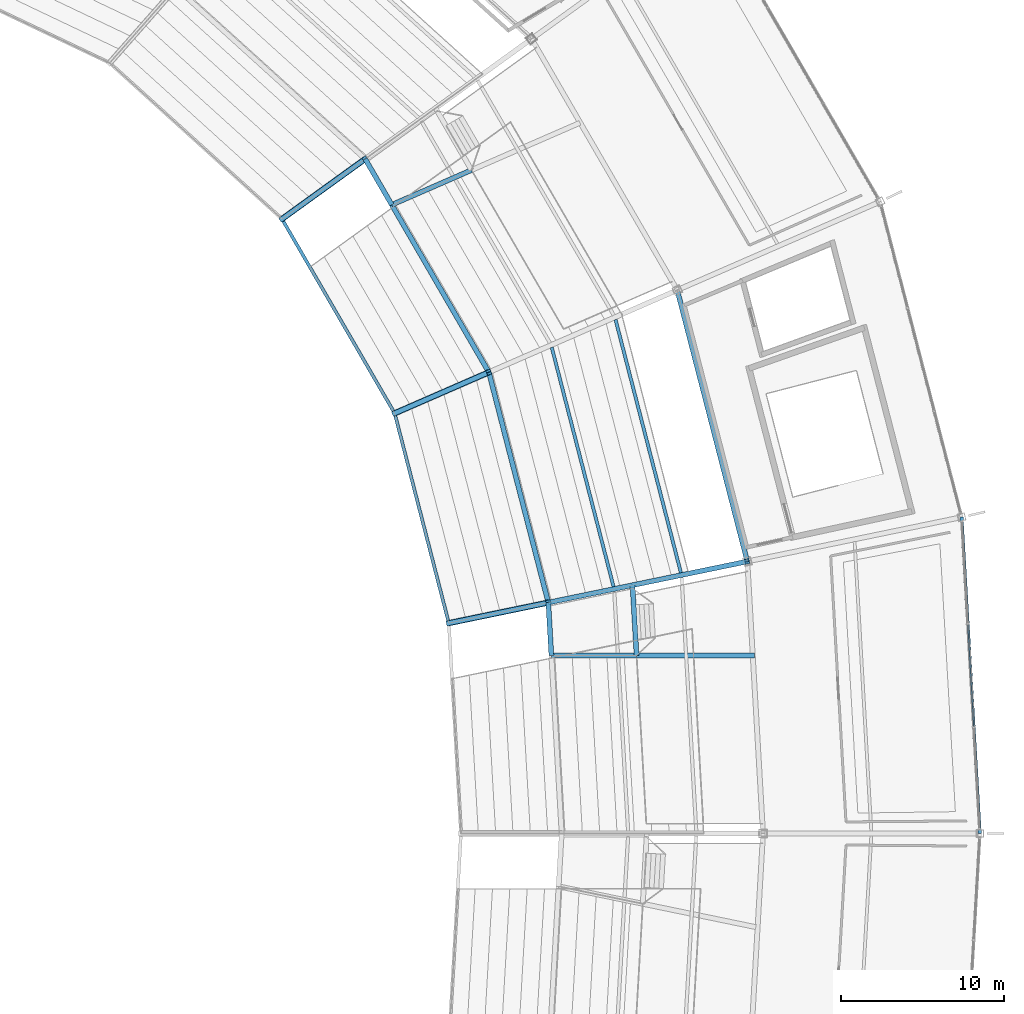
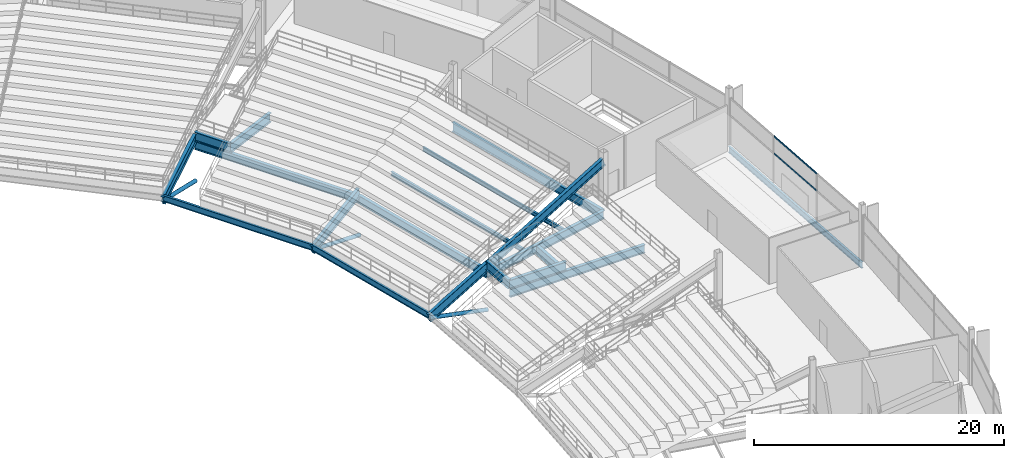
# One storey, part 76 of 186: 19 beams, 5 members, 1 element without a shape of its own.
"""IFC4 building model written with IfcOpenShell, lengths in metres."""

from ifc_helpers import new_model, si_unit, direction, frame, origin, origin_2d, place, context, subcontext, project, spatial, hollow_rectangle, hollow_circle, i_section, extrude, material, layer, layer_set, material_profile, profile_set, type_object, element, aggregate, save


model = new_model("IFC4")

# Units and contexts
model_context = context("Model", 3, precision=1e-05, world=origin(), true_north=direction((0.0, 1.0)))
body_context = subcontext(model_context, "Body", "Model", "MODEL_VIEW")
ifc_project = project(units=[si_unit("LENGTHUNIT", "METRE"), si_unit("AREAUNIT", "SQUARE_METRE"), si_unit("VOLUMEUNIT", "CUBIC_METRE"), si_unit("PLANEANGLEUNIT", "RADIAN"), si_unit("MASSUNIT", "GRAM", prefix="KILO")], contexts=[model_context])

# Site, building, storey
site_placement = place(None, origin())
site = spatial("IfcSite", under=ifc_project, at=site_placement, CompositionType="ELEMENT")
building_placement = place(site_placement, origin())
building = spatial("IfcBuilding", under=site, at=building_placement, Name="Kazemori Nagisa Stadium", CompositionType="ELEMENT")
storey_placement = place(building_placement, frame((0.0, 0.0, 20.39990234375)))
storey = spatial("IfcBuildingStorey", under=building, at=storey_placement, Name="L04", CompositionType="ELEMENT", Elevation=20.39990234375)

# Beams
ifc_material_1 = material(Name="Steel SN490B", Category="steel")
ifc_material_profile_1 = material_profile(ifc_material_1, i_section(OverallWidth=0.300048828125, OverallDepth=0.800048828125, WebThickness=0.013916015625, FlangeThickness=0.02587890625, FilletRadius=0.01806640625, at=origin_2d()), Name="H-800x300x14x26")
ifc_profile_set_1 = profile_set([ifc_material_profile_1], Name="Steel SN490B")
beam_type_1 = type_object("IfcBeamType", Name="Beam_BG-H800", PredefinedType="BEAM", material=ifc_profile_set_1)
beam_1_placement = place(storey_placement, frame((191.532958984375, 116.160400390625, -0.699951171875), z_axis=(-0.249966077383, 0.9682545947, 0.0), x_axis=(-0.9682545947, -0.249966077383, 0.0)))
element("IfcBeam", 1, at=beam_1_placement, inside=storey, type_object=beam_type_1, Name="Ring girder BG-H800 L04 R1-02", PredefinedType="BEAM", context=body_context, shape_type="SweptSolid", body=[
    extrude(i_section(OverallWidth=0.300048828125, OverallDepth=0.800048828125, WebThickness=0.013916015625, FlangeThickness=0.02587890625, FilletRadius=0.01806640625, at=origin_2d()), origin(), (0.0, 0.0, 1.0), 14.58984375),
])
beam_2_placement = place(storey_placement, frame((187.885986328125, 130.287109375, -0.699951171875), z_axis=(-0.501613453924, 0.865091869597, 0.0), x_axis=(-0.865091869597, -0.501613453924, 0.0)))
element("IfcBeam", 2, at=beam_2_placement, inside=storey, type_object=beam_type_1, Name="Ring girder BG-H800 L04 R1-03", PredefinedType="BEAM", context=body_context, shape_type="SweptSolid", body=[
    extrude(i_section(OverallWidth=0.300048828125, OverallDepth=0.800048828125, WebThickness=0.013916015625, FlangeThickness=0.02587890625, FilletRadius=0.01806640625, at=origin_2d()), origin(), (0.0, 0.0, 1.0), 15.1201171875),
])
beam_3_placement = place(storey_placement, frame((191.532958984375, 116.160400390625, -0.699951171875), z_axis=(0.979313861938, 0.202347127025, 0.0), x_axis=(-0.202347127025, 0.979313861938, 0.0)))
element("IfcBeam", 3, at=beam_3_placement, inside=storey, type_object=beam_type_1, Name="Radial girder BG-H800 L04 R1-R2-02", PredefinedType="BEAM", context=body_context, shape_type="SweptSolid", body=[
    extrude(i_section(OverallWidth=0.300048828125, OverallDepth=0.800048828125, WebThickness=0.013916015625, FlangeThickness=0.02587890625, FilletRadius=0.01806640625, at=origin_2d()), origin(), (0.0, 0.0, 1.0), 12.46240234375),
])
beam_4_placement = place(storey_placement, frame((191.72021484375, 112.915771484375, -0.699951171875), z_axis=(1.0, 0.0, 0.0), x_axis=(0.0, 1.0, 0.0)))
element("IfcBeam", 4, at=beam_4_placement, inside=storey, type_object=beam_type_1, Name="Upper vomitory radial carrier girder B01", PredefinedType="BEAM", context=body_context, shape_type="SweptSolid", body=[
    extrude(i_section(OverallWidth=0.300048828125, OverallDepth=0.800048828125, WebThickness=0.013916015625, FlangeThickness=0.02587890625, FilletRadius=0.01806640625, at=origin_2d()), origin(), (0.0, 0.0, 1.0), 12.462158203125),
])
ifc_material_profile_2 = material_profile(ifc_material_1, i_section(OverallWidth=0.300048828125, OverallDepth=0.89990234375, WebThickness=0.01611328125, FlangeThickness=0.028076171875, FilletRadius=0.01806640625, at=origin_2d()), Name="H-900x300x16x28")
ifc_profile_set_2 = profile_set([ifc_material_profile_2], Name="Steel SN490B")
beam_type_2 = type_object("IfcBeamType", Name="Beam_BG-H900", PredefinedType="BEAM", material=ifc_profile_set_2)
beam_5_placement = place(storey_placement, frame((203.737548828125, 118.68212890625, -0.75), z_axis=(-0.249974673676, 0.968252375427, 0.0), x_axis=(-0.968252375427, -0.249974673676, 0.0)))
element("IfcBeam", 5, at=beam_5_placement, inside=storey, type_object=beam_type_2, Name="Ring girder BG-H900 L04 R2-02", PredefinedType="BEAM", context=body_context, shape_type="SweptSolid", body=[
    extrude(i_section(OverallWidth=0.300048828125, OverallDepth=0.89990234375, WebThickness=0.01611328125, FlangeThickness=0.028076171875, FilletRadius=0.01806640625, at=origin_2d()), origin(), (0.0, 0.0, 1.0), 17.188232421875),
])
ifc_material_profile_3 = material_profile(ifc_material_1, i_section(OverallWidth=0.300048828125, OverallDepth=0.89990234375, WebThickness=0.01806640625, FlangeThickness=0.031982421875, FilletRadius=0.01806640625, at=origin_2d()), Name="H-900x300x18x32")
ifc_profile_set_3 = profile_set([ifc_material_profile_3], Name="Steel SN490B")
beam_type_3 = type_object("IfcBeamType", Name="Beam_BG-TR900", PredefinedType="BEAM", material=ifc_profile_set_3)
beam_6_placement = place(storey_placement, frame((191.72021484375, 112.915771484375, 0.150146484375), z_axis=(1.0, 0.0, 0.0), x_axis=(0.0, 1.0, 0.0)))
element("IfcBeam", 6, at=beam_6_placement, inside=storey, type_object=beam_type_3, Name="Upper vomitory left transfer girder B01", PredefinedType="BEAM", context=body_context, shape_type="SweptSolid", body=[
    extrude(i_section(OverallWidth=0.300048828125, OverallDepth=0.89990234375, WebThickness=0.01806640625, FlangeThickness=0.031982421875, FilletRadius=0.01806640625, at=origin_2d()), origin(), (0.0, 0.0, 1.0), 5.22509765625),
])
beam_7_placement = place(storey_placement, frame((196.9453125, 112.915771484375, -0.75), z_axis=(-0.057605203337, 0.998339441547, 0.0), x_axis=(-0.998339441547, -0.057605203337, 0.0)))
element("IfcBeam", 7, at=beam_7_placement, inside=storey, type_object=beam_type_3, Name="Upper vomitory portal header girder B01", PredefinedType="BEAM", context=body_context, shape_type="SweptSolid", body=[
    extrude(i_section(OverallWidth=0.300048828125, OverallDepth=0.89990234375, WebThickness=0.01806640625, FlangeThickness=0.031982421875, FilletRadius=0.01806640625, at=origin_2d()), origin(), (0.0, 0.0, 1.0), 4.318603515625),
])
beam_8_placement = place(storey_placement, frame((191.72021484375, 112.915771484375, 0.150146484375), z_axis=(-0.057616692486, 0.998338778545, 0.0), x_axis=(-0.998338778545, -0.057616692486, 0.0)))
element("IfcBeam", 8, at=beam_8_placement, inside=storey, type_object=beam_type_3, Name="Upper vomitory inner sill girder B01", PredefinedType="BEAM", context=body_context, shape_type="SweptSolid", body=[
    extrude(i_section(OverallWidth=0.300048828125, OverallDepth=0.89990234375, WebThickness=0.01806640625, FlangeThickness=0.031982421875, FilletRadius=0.01806640625, at=origin_2d()), origin(), (0.0, 0.0, 1.0), 3.25),
])
beam_9_placement = place(storey_placement, frame((181.931884765625, 140.555908203125, 0.150146484375), z_axis=(0.916686075072, 0.399608107736, 0.0), x_axis=(-0.399608107736, 0.916686075072, 0.0)))
element("IfcBeam", 9, at=beam_9_placement, inside=storey, type_object=beam_type_3, Name="Upper vomitory left transfer girder B03", PredefinedType="BEAM", context=body_context, shape_type="SweptSolid", body=[
    extrude(i_section(OverallWidth=0.300048828125, OverallDepth=0.89990234375, WebThickness=0.01806640625, FlangeThickness=0.031982421875, FilletRadius=0.01806640625, at=origin_2d()), origin(), (0.0, 0.0, 1.0), 5.3330078125),
])
beam_10_placement = place(storey_placement, frame((181.931884765625, 140.555908203125, 0.150146484375), z_axis=(-0.50164613907, 0.86507291667, 0.0), x_axis=(-0.86507291667, -0.50164613907, 0.0)))
element("IfcBeam", 10, at=beam_10_placement, inside=storey, type_object=beam_type_3, Name="Upper vomitory inner sill girder B03", PredefinedType="BEAM", context=body_context, shape_type="SweptSolid", body=[
    extrude(i_section(OverallWidth=0.300048828125, OverallDepth=0.89990234375, WebThickness=0.01806640625, FlangeThickness=0.031982421875, FilletRadius=0.01806640625, at=origin_2d()), origin(), (0.0, 0.0, 1.0), 3.25),
])
ifc_material_profile_4 = material_profile(ifc_material_1, i_section(OverallWidth=0.199951171875, OverallDepth=0.39990234375, WebThickness=0.008056640625, FlangeThickness=0.012939453125, FilletRadius=0.012939453125, at=origin_2d()), Name="H-400x200x8x13")
ifc_profile_set_4 = profile_set([ifc_material_profile_4], Name="Steel SN490B")
beam_type_4 = type_object("IfcBeamType", Name="Beam_BJ-H400", PredefinedType="JOIST", material=ifc_profile_set_4)
beam_11_placement = place(storey_placement, frame((195.53369140625, 117.134765625, -0.5), z_axis=(-0.249963255877, 0.9682553231, 0.0), x_axis=(-0.9682553231, -0.249963255877, 0.0)))
element("IfcBeam", 11, at=beam_11_placement, inside=storey, type_object=beam_type_4, Name="Concourse joist BJ-H400 L04 B02-1", PredefinedType="JOIST", context=body_context, shape_type="SweptSolid", body=[
    extrude(i_section(OverallWidth=0.199951171875, OverallDepth=0.39990234375, WebThickness=0.008056640625, FlangeThickness=0.012939453125, FilletRadius=0.012939453125, at=origin_2d()), origin(), (0.0, 0.0, 1.0), 15.159423828125),
])
beam_12_placement = place(storey_placement, frame((199.664306640625, 117.98828125, -0.5), z_axis=(-0.249956740753, 0.968257005011, 0.0), x_axis=(-0.968257005011, -0.249956740753, 0.0)))
element("IfcBeam", 12, at=beam_12_placement, inside=storey, type_object=beam_type_4, Name="Concourse joist BJ-H400 L04 B02-2", PredefinedType="JOIST", context=body_context, shape_type="SweptSolid", body=[
    extrude(i_section(OverallWidth=0.199951171875, OverallDepth=0.39990234375, WebThickness=0.008056640625, FlangeThickness=0.012939453125, FilletRadius=0.012939453125, at=origin_2d()), origin(), (0.0, 0.0, 1.0), 16.038818359375),
])
ifc_material_profile_5 = material_profile(ifc_material_1, i_section(OverallWidth=0.199951171875, OverallDepth=0.60009765625, WebThickness=0.010986328125, FlangeThickness=0.01708984375, FilletRadius=0.012939453125, at=origin_2d()), Name="H-600x200x11x17")
ifc_profile_set_5 = profile_set([ifc_material_profile_5], Name="Steel SN490B")
beam_type_5 = type_object("IfcBeamType", Name="Beam_BS-H600", PredefinedType="SPANDREL", material=ifc_profile_set_5)
beam_13_placement = place(storey_placement, frame((218.0, 102.0, -0.599853515625), z_axis=(-0.057598702622, 0.998339816624, 0.0), x_axis=(-0.998339816624, -0.057598702622, 0.0)))
element("IfcBeam", 13, at=beam_13_placement, inside=storey, type_object=beam_type_5, Name="Ring girder BS-H600 L04 R3-01", PredefinedType="SPANDREL", context=body_context, shape_type="SweptSolid", body=[
    extrude(i_section(OverallWidth=0.199951171875, OverallDepth=0.60009765625, WebThickness=0.010986328125, FlangeThickness=0.01708984375, FilletRadius=0.012939453125, at=origin_2d()), origin(), (0.0, 0.0, 1.0), 19.429931640625),
])
beam_14_placement = place(storey_placement, frame((185.4306640625, 114.8994140625, -1.885009765625), z_axis=(-0.249962460732, 0.968255528373, 0.0), x_axis=(-0.968255528373, -0.249962460732, 0.0)))
element("IfcBeam", 14, at=beam_14_placement, inside=storey, type_object=beam_type_5, Name="Upper tier front ring beam 02", PredefinedType="SPANDREL", context=body_context, shape_type="SweptSolid", body=[
    extrude(i_section(OverallWidth=0.199951171875, OverallDepth=0.60009765625, WebThickness=0.010986328125, FlangeThickness=0.01708984375, FilletRadius=0.012939453125, at=origin_2d()), origin(), (0.0, 0.0, 1.0), 13.291015625),
])
beam_15_placement = place(storey_placement, frame((182.1083984375, 127.7685546875, -1.885009765625), z_axis=(-0.501605611908, 0.865096416651, 0.0), x_axis=(-0.865096416651, -0.501605611908, 0.0)))
element("IfcBeam", 15, at=beam_15_placement, inside=storey, type_object=beam_type_5, Name="Upper tier front ring beam 03", PredefinedType="SPANDREL", context=body_context, shape_type="SweptSolid", body=[
    extrude(i_section(OverallWidth=0.199951171875, OverallDepth=0.60009765625, WebThickness=0.010986328125, FlangeThickness=0.01708984375, FilletRadius=0.012939453125, at=origin_2d()), origin(), (0.0, 0.0, 1.0), 13.773681640625),
])
ifc_material_profile_6 = material_profile(ifc_material_1, i_section(OverallWidth=0.300048828125, OverallDepth=0.800048828125, WebThickness=0.013916015625, FlangeThickness=0.02587890625, FilletRadius=0.01806640625, at=origin_2d()), Name="H-800x300x14x26")
ifc_profile_set_6 = profile_set([ifc_material_profile_6], Name="Steel SN490B")
beam_type_6 = type_object("IfcBeamType", Name="Beam_RK-ST800", PredefinedType="USERDEFINED", material=ifc_profile_set_6)
beam_16_placement = place(storey_placement, frame((191.532958984375, 116.160400390625, 0.02001953125), z_axis=(0.922744839071, 0.190658760607, 0.334949546905), x_axis=(-0.202347127025, 0.979313861938, 0.0)))
element("IfcBeam", 16, at=beam_16_placement, inside=storey, type_object=beam_type_6, Name="Raker beam upper backspan RK3-02B", ObjectType="RAKER BEAM", PredefinedType="USERDEFINED", context=body_context, shape_type="SweptSolid", body=[
    extrude(i_section(OverallWidth=0.300048828125, OverallDepth=0.800048828125, WebThickness=0.013916015625, FlangeThickness=0.02587890625, FilletRadius=0.01806640625, at=origin_2d()), origin(), (0.0, 0.0, 1.0), 13.226318359375),
])
ifc_material_profile_7 = material_profile(ifc_material_1, i_section(OverallWidth=0.300048828125, OverallDepth=0.89990234375, WebThickness=0.01611328125, FlangeThickness=0.028076171875, FilletRadius=0.01806640625, at=origin_2d()), Name="H-900x300x16x28")
ifc_profile_set_7 = profile_set([ifc_material_profile_7], Name="Steel SN490B")
beam_type_7 = type_object("IfcBeamType", Name="Beam_RK-ST900", PredefinedType="USERDEFINED", material=ifc_profile_set_7)
beam_17_placement = place(storey_placement, frame((185.4306640625, 114.8994140625, -2.14990234375), z_axis=(0.924838040784, 0.191109761178, 0.328864193098), x_axis=(-0.202365915, 0.979309979754, 0.0)))
element("IfcBeam", 17, at=beam_17_placement, inside=storey, type_object=beam_type_7, Name="Raker beam upper cantilever RK3-02A", ObjectType="RAKER BEAM", PredefinedType="USERDEFINED", context=body_context, shape_type="SweptSolid", body=[
    extrude(i_section(OverallWidth=0.300048828125, OverallDepth=0.89990234375, WebThickness=0.01611328125, FlangeThickness=0.028076171875, FilletRadius=0.01806640625, at=origin_2d()), origin(), (0.0, 0.0, 1.0), 6.59814453125),
])
beam_18_placement = place(storey_placement, frame((182.1083984375, 127.7685546875, -2.14990234375), z_axis=(0.866757582883, 0.377835251427, 0.325533124727), x_axis=(-0.399601278701, 0.916689052002, 0.0)))
element("IfcBeam", 18, at=beam_18_placement, inside=storey, type_object=beam_type_7, Name="Raker beam upper cantilever RK3-03A", ObjectType="RAKER BEAM", PredefinedType="USERDEFINED", context=body_context, shape_type="SweptSolid", body=[
    extrude(i_section(OverallWidth=0.300048828125, OverallDepth=0.89990234375, WebThickness=0.01611328125, FlangeThickness=0.028076171875, FilletRadius=0.01806640625, at=origin_2d()), origin(), (0.0, 0.0, 1.0), 6.665771484375),
])
beam_19_placement = place(storey_placement, frame((175.199462890625, 139.68408203125, -2.14990234375), z_axis=(0.766497640218, 0.553361560818, 0.325994402635), x_axis=(-0.585337557013, 0.810789704147, 0.0)))
element("IfcBeam", 19, at=beam_19_placement, inside=storey, type_object=beam_type_7, Name="Raker beam upper cantilever RK3-04A", ObjectType="RAKER BEAM", PredefinedType="USERDEFINED", context=body_context, shape_type="SweptSolid", body=[
    extrude(i_section(OverallWidth=0.300048828125, OverallDepth=0.89990234375, WebThickness=0.01611328125, FlangeThickness=0.028076171875, FilletRadius=0.01806640625, at=origin_2d()), origin(), (0.0, 0.0, 1.0), 6.65625),
])

# Members
ifc_material_2 = material(Name="Steel STK490", Category="steel")
ifc_material_profile_8 = material_profile(ifc_material_2, hollow_circle(Radius=0.177734375, WallThickness=0.0126953125, at=origin_2d()), Name="CHS-355.6x12.7")
ifc_profile_set_8 = profile_set([ifc_material_profile_8], Name="Steel STK490")
member_type_1 = type_object("IfcMemberType", Name="Member_TB-CHS355", PredefinedType="BRACE", material=ifc_profile_set_8)
member_1_placement = place(storey_placement, frame((191.532958984375, 116.160400390625, -4.25), z_axis=(-0.928021170057, -0.191767527239, 0.319377399673), x_axis=(0.202365915, -0.979309979754, 0.0)))
element("IfcMember", 20, at=member_1_placement, inside=storey, type_object=member_type_1, Name="Upper tier cantilever truss strut UT-02", PredefinedType="BRACE", context=body_context, shape_type="SweptSolid", body=[
    extrude(hollow_circle(Radius=0.177734375, WallThickness=0.0126953125, at=origin_2d()), origin(), (0.0, 0.0, 1.0), 6.57568359375),
])
member_2_placement = place(storey_placement, frame((187.885986328125, 130.287109375, -4.25), z_axis=(-0.869680376802, -0.379109349972, 0.316120456423), x_axis=(0.399601278701, -0.916689052002, 0.0)))
element("IfcMember", 21, at=member_2_placement, inside=storey, type_object=member_type_1, Name="Upper tier cantilever truss strut UT-03", PredefinedType="BRACE", context=body_context, shape_type="SweptSolid", body=[
    extrude(hollow_circle(Radius=0.177734375, WallThickness=0.0126953125, at=origin_2d()), origin(), (0.0, 0.0, 1.0), 6.643310546875),
])
member_3_placement = place(storey_placement, frame((180.301513671875, 143.367431640625, -4.25), z_axis=(-0.769089714942, -0.555232870577, 0.316571429224), x_axis=(0.585337557013, -0.810789704147, 0.0)))
element("IfcMember", 22, at=member_3_placement, inside=storey, type_object=member_type_1, Name="Upper tier cantilever truss strut UT-04", PredefinedType="BRACE", context=body_context, shape_type="SweptSolid", body=[
    extrude(hollow_circle(Radius=0.177734375, WallThickness=0.0126953125, at=origin_2d()), origin(), (0.0, 0.0, 1.0), 6.6337890625),
])

# Curtain wall, members
ifc_material_3 = material(Name="Anodised aluminium 6063-T5", Category="aluminium")
ifc_layer = layer(ifc_material_3, 0.179931640625, Name="Anodised aluminium 6063-T5", Category="aluminium")
ifc_layer_set = layer_set([ifc_layer], Name="Anodised aluminium 6063-T5")
curtain_wall_type = type_object("IfcCurtainWallType", Name="CW_L04R3_95", PredefinedType="USERDEFINED", material=ifc_layer_set)
curtain_wall_placement = place(storey_placement, origin())
curtain_wall = element("IfcCurtainWall", 23, at=curtain_wall_placement, inside=storey, type_object=curtain_wall_type, Name="Unitised curtain wall CW-L04R3-95 L04", ObjectType="UNITISED CURTAIN WALL", PredefinedType="USERDEFINED")
ifc_material_4 = material(Name="Aluminium 6063-T5 anodised", Category="aluminium")
ifc_material_profile_9 = material_profile(ifc_material_4, hollow_rectangle(XDim=0.070068359375, YDim=0.139892578125, WallThickness=0.00390625, at=origin_2d()), Name="ALU-TRAN-70x140x4")
ifc_profile_set_9 = profile_set([ifc_material_profile_9], Name="Aluminium 6063-T5 anodised")
member_type_2 = type_object("IfcMemberType", Name="Transom_T01", PredefinedType="USERDEFINED", material=ifc_profile_set_9)
member_4_placement = place(storey_placement, frame((217.620849609375, 108.57080078125, 2.80859375), z_axis=(-0.057582347061, 0.998340760115, 0.0), x_axis=(-0.998340760115, -0.057582347061, 0.0)))
member_4 = element("IfcMember", 24, at=member_4_placement, type_object=member_type_2, Name="Curtain wall transom CW-L04R3-95-T2-mid", ObjectType="TRANSOM", PredefinedType="USERDEFINED", context=body_context, shape_type="SweptSolid", body=[
    extrude(hollow_rectangle(XDim=0.070068359375, YDim=0.139892578125, WallThickness=0.00390625, at=origin_2d()), origin(), (0.0, 0.0, 1.0), 6.2666015625),
])
member_5_placement = place(storey_placement, frame((217.620849609375, 108.57080078125, 4.460205078125), z_axis=(-0.057582347061, 0.998340760115, 0.0), x_axis=(-0.998340760115, -0.057582347061, 0.0)))
member_5 = element("IfcMember", 25, at=member_5_placement, type_object=member_type_2, Name="Curtain wall transom CW-L04R3-95-T2-head", ObjectType="TRANSOM", PredefinedType="USERDEFINED", context=body_context, shape_type="SweptSolid", body=[
    extrude(hollow_rectangle(XDim=0.070068359375, YDim=0.139892578125, WallThickness=0.00390625, at=origin_2d()), origin(), (0.0, 0.0, 1.0), 6.2666015625),
])
aggregate(curtain_wall, [member_4, member_5])

save(model, "model.ifc")
